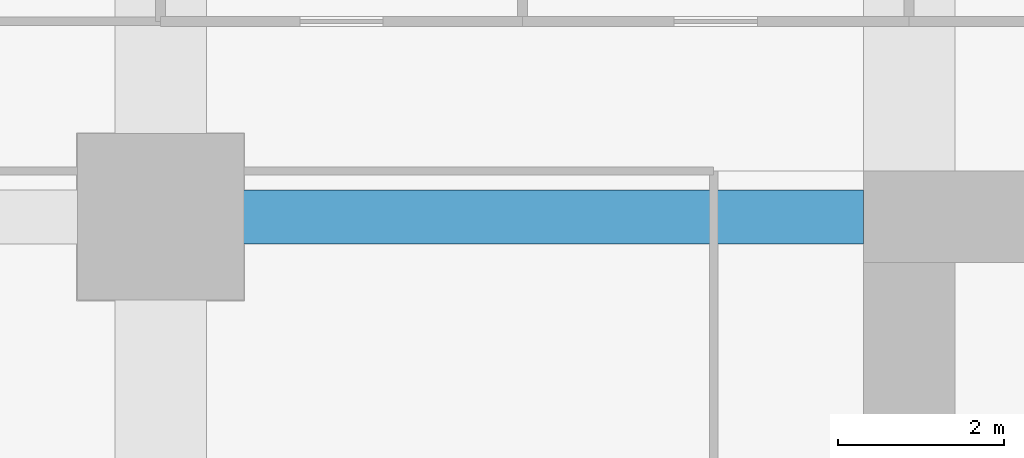
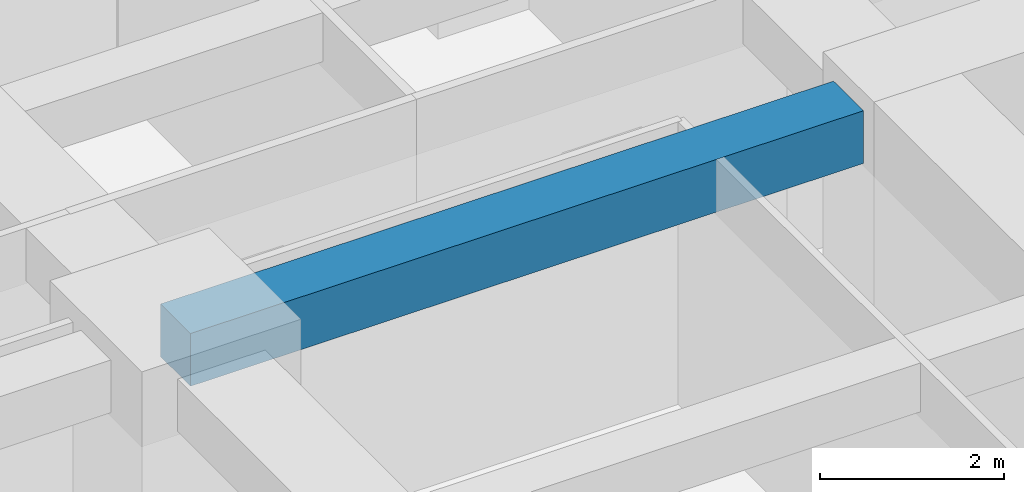
# One storey, part 25 of 41: 1 beam.
"""IFC4 building model written with IfcOpenShell, lengths in metres."""

import ifcopenshell
import ifcopenshell.guid

model = None  # the IFC model being written
_history = None  # IfcOwnerHistory: only IFC2X3 demands one
_inside = {}  # id of a spatial element -> (the spatial element, [elements in it])
_under = {}  # id of a project, library or spatial element -> (it, [spatial elements below it])
_declared = {}  # id of a project -> (the project, [libraries it declares])
_typed = {}  # id of a type object -> (the type object, [elements of that type])
_made_of = {}  # id of a material, layer set ... -> (it, [elements and type objects made of it])


def new_model(schema):
    """Start an empty IFC model of exactly this schema.

    Asked for "IFC4X3", IfcOpenShell would pick the latest addendum, in which some entities
    have other attributes; the version numbers below select the first issue.
    IFC2X3 requires an IfcOwnerHistory on every rooted entity: one is made here for all.
    """
    global model, _history
    if schema == "IFC4X3":
        model = ifcopenshell.file(schema_version=(4, 3, 0, 0))
    else:
        model = ifcopenshell.file(schema=schema)
    _inside.clear()
    _under.clear()
    _declared.clear()
    _typed.clear()
    _made_of.clear()
    _history = None
    if model.schema == "IFC2X3":
        org = make("IfcOrganization", Name="unknown")
        user = make(
            "IfcPersonAndOrganization",
            ThePerson=make("IfcPerson", FamilyName="unknown"),
            TheOrganization=org,
        )
        app = make(
            "IfcApplication",
            ApplicationDeveloper=org,
            Version="unknown",
            ApplicationFullName="unknown",
            ApplicationIdentifier="unknown",
        )
        _history = make(
            "IfcOwnerHistory",
            OwningUser=user,
            OwningApplication=app,
            ChangeAction="ADDED",
            CreationDate=0,
        )
    return model


def make(cls, **values):
    """One entity of the class cls with the attributes given. An attribute that is None is left unset."""
    return model.create_entity(
        cls, **{name: value for name, value in values.items() if value is not None}
    )


def rooted(cls, **values):
    """An entity with a GlobalId (a new one), such as an element, a storey or a relation."""
    return make(cls, GlobalId=ifcopenshell.guid.new(), OwnerHistory=_history, **values)


def si_unit(unit_type, name, prefix=None):
    """IfcSIUnit, for example si_unit("LENGTHUNIT", "METRE", prefix="MILLI")."""
    return make("IfcSIUnit", UnitType=unit_type, Prefix=prefix, Name=name)


def assignment(units):
    """IfcUnitAssignment: the units of a project."""
    return None if units is None else make("IfcUnitAssignment", Units=units)


def point(xyz):
    """IfcCartesianPoint."""
    return None if xyz is None else make("IfcCartesianPoint", Coordinates=xyz)


def direction(xyz):
    """IfcDirection."""
    return None if xyz is None else make("IfcDirection", DirectionRatios=xyz)


def frame(location, z_axis=None, x_axis=None):
    """IfcAxis2Placement3D, a coordinate frame: its origin and axes. An axis left out is left unset."""
    return make(
        "IfcAxis2Placement3D",
        Location=point(location),
        Axis=direction(z_axis),
        RefDirection=direction(x_axis),
    )


def frame_2d(location, x_axis=None):
    """IfcAxis2Placement2D, a coordinate frame in the plane: its origin and x axis."""
    return make(
        "IfcAxis2Placement2D", Location=point(location), RefDirection=direction(x_axis)
    )


def origin():
    """The frame at (0, 0, 0) with its axes left unset."""
    return frame((0.0, 0.0, 0.0))


def origin_2d():
    """The frame at (0, 0) in the plane with its x axis left unset."""
    return frame_2d((0.0, 0.0))


def place(relative_to, where):
    """IfcLocalPlacement: puts the frame where relative to a parent placement (None: the world)."""
    return make(
        "IfcLocalPlacement", PlacementRelTo=relative_to, RelativePlacement=where
    )


def context(
    kind, dimensions, precision=None, world=None, true_north=None, identifier=None
):
    """IfcGeometricRepresentationContext, for example the 3D "Model" context."""
    return make(
        "IfcGeometricRepresentationContext",
        ContextIdentifier=identifier,
        ContextType=kind,
        CoordinateSpaceDimension=dimensions,
        Precision=precision,
        WorldCoordinateSystem=world,
        TrueNorth=true_north,
    )


def subcontext(parent, identifier, kind, view, scale=None):
    """IfcGeometricRepresentationSubContext, for example "Body" below "Model"."""
    return make(
        "IfcGeometricRepresentationSubContext",
        ContextIdentifier=identifier,
        ContextType=kind,
        ParentContext=parent,
        TargetScale=scale,
        TargetView=view,
    )


def project(units=None, contexts=None):
    """IfcProject with its units and contexts."""
    return rooted(
        "IfcProject",
        Name="project",
        RepresentationContexts=contexts,
        UnitsInContext=assignment(units),
    )


def spatial(cls, under=None, at=None, **own):
    """A site, building, storey or space (cls), placed at a placement, below another one or the project."""
    s = rooted(cls, ObjectPlacement=at, **own)
    if under is not None:
        _under.setdefault(under.id(), (under, []))[1].append(s)
    return s


def profile(cls, at=None, kind="AREA", **sizes):
    """A parametric profile (cls). Its sizes go by their IFC names, for example OverallWidth=200.0."""
    return make(cls, ProfileType=kind, Position=at, **sizes)


def rectangle(**sizes):
    """IfcRectangleProfileDef."""
    return profile("IfcRectangleProfileDef", **sizes)


def extrude(swept, where, along, depth):
    """IfcExtrudedAreaSolid: the profile swept, set in the frame where, extruded along a direction by depth."""
    return make(
        "IfcExtrudedAreaSolid",
        SweptArea=swept,
        Position=where,
        ExtrudedDirection=direction(along),
        Depth=depth,
    )


def shape(context_of_items, identifier, shape_type, items):
    """IfcShapeRepresentation: the items that make up one representation, for example the "Body"."""
    return make(
        "IfcShapeRepresentation",
        ContextOfItems=context_of_items,
        RepresentationIdentifier=identifier,
        RepresentationType=shape_type,
        Items=items,
    )


def material(Name=None, Category=None):
    """IfcMaterial."""
    return make("IfcMaterial", Name=Name, Category=Category)


def material_profile(
    of_material, cross_section, Name=None, Category=None, Priority=None
):
    """IfcMaterialProfile: a cross section and its material."""
    return make(
        "IfcMaterialProfile",
        Name=Name,
        Material=of_material,
        Profile=cross_section,
        Priority=Priority,
        Category=Category,
    )


def profile_set(profiles, Name=None, composite=None):
    """IfcMaterialProfileSet."""
    return make(
        "IfcMaterialProfileSet",
        Name=Name,
        MaterialProfiles=profiles,
        CompositeProfile=composite,
    )


def made_of(thing, what):
    """Note that an element or type object is made of a material, layer set ...; save() writes the relation."""
    if what is not None:
        _made_of.setdefault(what.id(), (what, []))[1].append(thing)
    return thing


def type_object(cls, material=None, **own):
    """A type object (cls), such as IfcWallType, which elements share."""
    return made_of(rooted(cls, **own), material)


def element(
    cls,
    number,
    at=None,
    inside=None,
    cuts=None,
    type_object=None,
    material=None,
    context=None,
    identifier="Body",
    shape_type=None,
    held_by="IfcProductDefinitionShape",
    body=None,
    shapes=None,
    **own,
):
    """One element of the class cls, such as IfcWall. Its Tag is "e" and its number.

    at: its placement. inside: the storey or other place that contains it. cuts: it is an
    opening in that element (IfcRelVoidsElement). A single representation is given by context,
    identifier, shape_type and body (its items); several are given by shapes. held_by: the class
    of the entity that holds the representations. save() writes the other relations.
    """
    e = rooted(cls, Tag="e%d" % number, ObjectPlacement=at, **own)
    if body is not None:
        shapes = [shape(context, identifier, shape_type, body)]
    if shapes is not None:
        e.Representation = make(held_by, Representations=shapes)
    if inside is not None:
        _inside.setdefault(inside.id(), (inside, []))[1].append(e)
    if cuts is not None:
        rooted(
            "IfcRelVoidsElement", RelatingBuildingElement=cuts, RelatedOpeningElement=e
        )
    if type_object is not None:
        _typed.setdefault(type_object.id(), (type_object, []))[1].append(e)
    return made_of(e, material)


def aggregate(whole, parts):
    """IfcRelAggregates: a whole, such as a stair, and the parts it consists of."""
    return rooted("IfcRelAggregates", RelatingObject=whole, RelatedObjects=parts)


def save(model, path):
    """Write the relations noted so far, then the file.

    IfcRelAggregates (storeys below a building ...), IfcRelContainedInSpatialStructure (elements
    in a storey), IfcRelDefinesByType, IfcRelAssociatesMaterial and IfcRelDeclares: one each for
    every whole, place, type object, material and project.
    """
    for whole, parts in _under.values():
        aggregate(whole, parts)
    for where, things in _inside.values():
        rooted(
            "IfcRelContainedInSpatialStructure",
            RelatedElements=things,
            RelatingStructure=where,
        )
    for kind, things in _typed.values():
        rooted("IfcRelDefinesByType", RelatedObjects=things, RelatingType=kind)
    for what, things in _made_of.values():
        rooted("IfcRelAssociatesMaterial", RelatedObjects=things, RelatingMaterial=what)
    for by, libraries in _declared.values():
        rooted("IfcRelDeclares", RelatingContext=by, RelatedDefinitions=libraries)
    model.write(path)


model = new_model("IFC4")

# Units and contexts
model_context = context("Model", 3, precision=1e-05, world=origin(), true_north=direction((0.0, 1.0)))
body_context = subcontext(model_context, "Body", "Model", "MODEL_VIEW")
ifc_project = project(units=[si_unit("LENGTHUNIT", "METRE"), si_unit("AREAUNIT", "SQUARE_METRE"), si_unit("VOLUMEUNIT", "CUBIC_METRE"), si_unit("PLANEANGLEUNIT", "RADIAN"), si_unit("MASSUNIT", "GRAM", prefix="KILO")], contexts=[model_context])

# Site, building, storey
site_placement = place(None, origin())
site = spatial("IfcSite", under=ifc_project, at=site_placement, CompositionType="ELEMENT")
building_placement = place(site_placement, origin())
building = spatial("IfcBuilding", under=site, at=building_placement, Name="Zorevar Civic Tower", CompositionType="ELEMENT")
storey_placement = place(building_placement, frame((0.0, 0.0, 109.0)))
storey = spatial("IfcBuildingStorey", under=building, at=storey_placement, Name="L26", CompositionType="ELEMENT", Elevation=109.0)

# Beam
ifc_material = material(Name="Concrete C50/60", Category="concrete")
ifc_material_profile = material_profile(ifc_material, rectangle(XDim=0.64990234375, YDim=0.699951171875, at=origin_2d()), Name="RC 650x700")
ifc_profile_set = profile_set([ifc_material_profile], Name="Concrete C50/60")
beam_type = type_object("IfcBeamType", Name="Beam RC 650x700", PredefinedType="BEAM", material=ifc_profile_set)
beam_placement = place(storey_placement, frame((9.0, 36.0, 3.39990234375), z_axis=(1.0, 0.0, 0.0), x_axis=(0.0, 1.0, 0.0)))
element("IfcBeam", 1, at=beam_placement, inside=storey, type_object=beam_type, Name="Girder L27", PredefinedType="BEAM", context=body_context, shape_type="SweptSolid", body=[
    extrude(rectangle(XDim=0.64990234375, YDim=0.699951171875, at=origin_2d()), origin(), (0.0, 0.0, 1.0), 8.449951171875),
])

save(model, "model.ifc")
